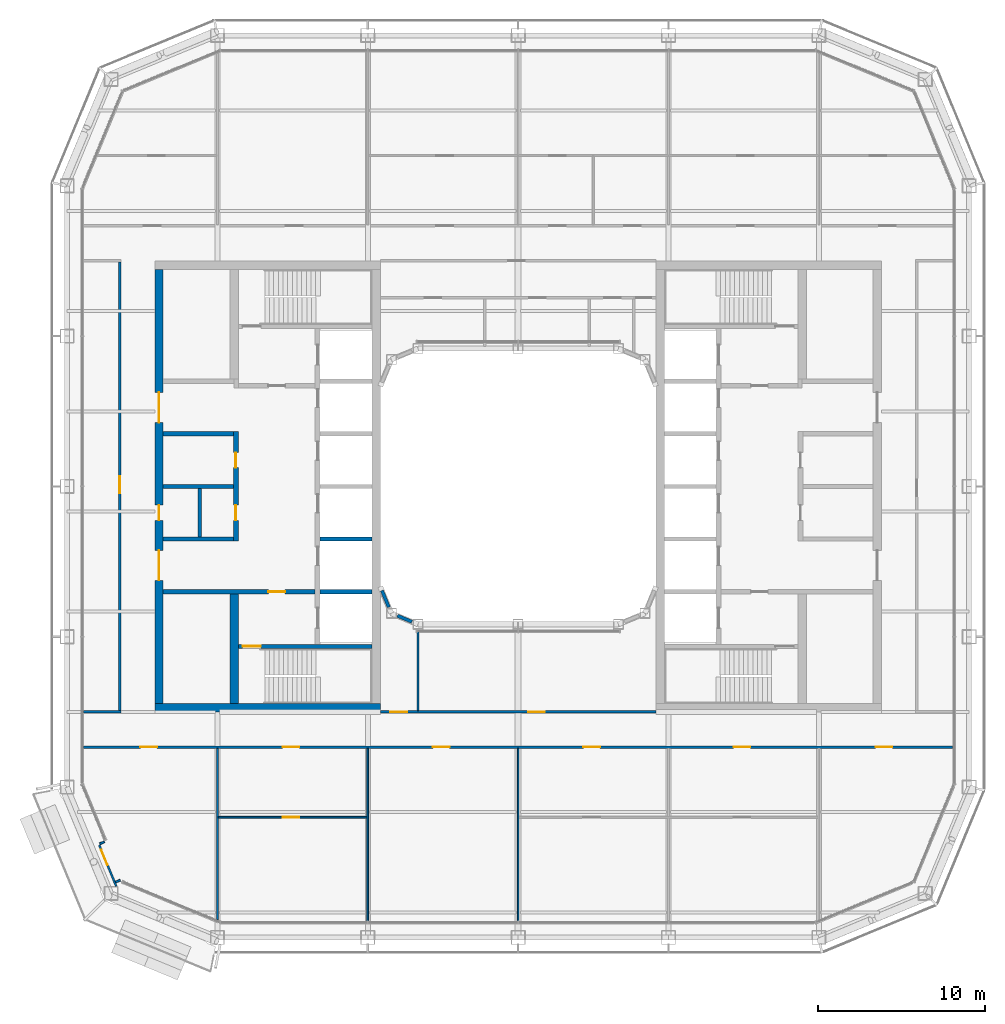
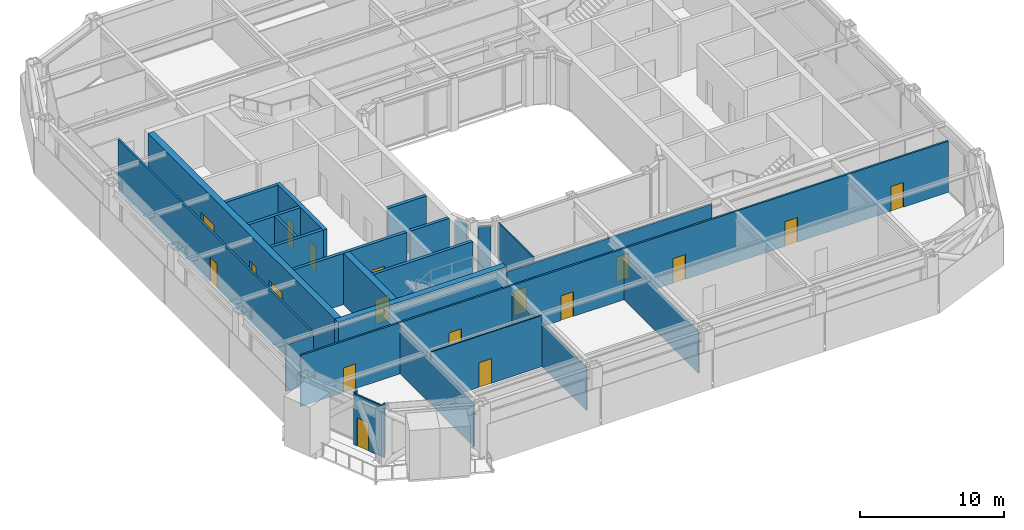
# One storey, part 13 of 23: 26 walls, 18 doors, 18 openings.
"""IFC4 building model written with IfcOpenShell, lengths in metres."""

from ifc_helpers import new_model, si_unit, direction, frame, frame_2d, origin, place, context, subcontext, project, spatial, rectangle, extrude, material, layer, layer_set, type_object, element, fill, save


model = new_model("IFC4")

# Units and contexts
model_context = context("Model", 3, precision=1e-05, world=origin(), true_north=direction((0.0, 1.0)))
body_context = subcontext(model_context, "Body", "Model", "MODEL_VIEW")
ifc_project = project(units=[si_unit("LENGTHUNIT", "METRE"), si_unit("AREAUNIT", "SQUARE_METRE"), si_unit("VOLUMEUNIT", "CUBIC_METRE"), si_unit("PLANEANGLEUNIT", "RADIAN"), si_unit("MASSUNIT", "GRAM", prefix="KILO")], contexts=[model_context])

# Site, building, storey
site_placement = place(None, origin())
site = spatial("IfcSite", under=ifc_project, at=site_placement, CompositionType="ELEMENT")
building_placement = place(site_placement, origin())
building = spatial("IfcBuilding", under=site, at=building_placement, Name="Siwar Civic Tower", CompositionType="ELEMENT")
storey_placement = place(building_placement, frame((0.0, 0.0, 197.199951171875)))
storey = spatial("IfcBuildingStorey", under=building, at=storey_placement, Name="L42", CompositionType="ELEMENT", Elevation=197.199951171875)

# Wall
ifc_material_1 = material(Name="Gypsum board on steel studs", Category="steel")
ifc_layer_1 = layer(ifc_material_1, 0.199951171875)
ifc_layer_set_1 = layer_set([ifc_layer_1], Name="Gypsum board on steel studs")
wall_type_1 = type_object("IfcWallType", Name="CORE-PARTITION-200", PredefinedType="PARTITIONING", material=ifc_layer_set_1)
wall_1_placement = place(storey_placement, frame((-19.050048828125, -3.02490234375, 0.0), z_axis=(0.0, 0.0, 1.0), x_axis=(0.0, 1.0, 0.0)))
element("IfcWall", 1, at=wall_1_placement, inside=storey, type_object=wall_type_1, Name="Core partition W", PredefinedType="PARTITIONING", context=body_context, shape_type="SweptSolid", body=[
    extrude(rectangle(XDim=2.89990234375, YDim=0.199951171875, at=frame_2d((1.449951171875, 0.0))), origin(), (0.0, 0.0, 1.0), 4.35009765625),
])

# Wall, opening, door
ifc_material_2 = material(Name="Concrete C60/75", Category="concrete")
ifc_layer_2 = layer(ifc_material_2, 0.25)
ifc_layer_set_2 = layer_set([ifc_layer_2], Name="Concrete C60/75")
wall_type_2 = type_object("IfcWallType", Name="CORE-WALL-RC250", PredefinedType="SHEAR", material=ifc_layer_set_2)
wall_2_placement = place(storey_placement, frame((-12.14990234375, -6.300048828125, 0.0), z_axis=(0.0, 0.0, 1.0), x_axis=(-1.0, 0.0, 0.0)))
wall_2 = element("IfcWall", 2, at=wall_2_placement, inside=storey, type_object=wall_type_2, Name="Core wall W", PredefinedType="SHEAR", context=body_context, shape_type="SweptSolid", body=[
    extrude(rectangle(XDim=9.10009765625, YDim=0.25, at=frame_2d((4.550048828125, 0.0))), origin(), (0.0, 0.0, 1.0), 4.35009765625),
])
opening_1_placement = place(wall_2_placement, frame((1.800048828125, 0.0, 0.0)))
opening_1 = element("IfcOpeningElement", 3, at=opening_1_placement, cuts=wall_2, Name="Opening L42-CW02", PredefinedType="OPENING", context=body_context, shape_type="SweptSolid", body=[
    extrude(rectangle(XDim=1.0, YDim=2.10009765625, at=frame_2d((0.5, 1.050048828125))), frame((0.0, 0.135009765625, 0.0), z_axis=(0.0, -1.0, 0.0), x_axis=(1.0, 0.0, 0.0)), (0.0, 0.0, 1.0), 0.27001953125),
])
ifc_material_3 = material(Name="Steel door leaf", Category="steel")
door_type_1 = type_object("IfcDoorType", Name="CORE-DOOR-FD30S", OperationType="SINGLE_SWING_LEFT", PredefinedType="DOOR", material=ifc_material_3)
door_1_placement = place(opening_1_placement, origin())
door_1 = element("IfcDoor", 4, at=door_1_placement, inside=storey, type_object=door_type_1, Name="Service lobby door L42-CW02", OperationType="SINGLE_SWING_RIGHT", OverallHeight=2.10009765625, OverallWidth=1.0, PredefinedType="DOOR", context=body_context, shape_type="SweptSolid", body=[
    extrude(rectangle(XDim=1.0, YDim=2.10009765625, at=frame_2d((0.5, 1.050048828125))), frame((0.0, 0.02490234375, 0.0), z_axis=(0.0, -1.0, 0.0), x_axis=(1.0, 0.0, 0.0)), (0.0, 0.0, 1.0), 0.050048828125),
])
fill(opening_1, door_1)

# Walls
for number, where, z_axis, x_axis, name in (
    (5, (-17.050048828125, 0.0, 0.0), (0.0, 0.0, 1.0), (-1.0, 0.0, 0.0), "Core wall W"),
    (6, (-17.050048828125, 3.14990234375, 0.0), (0.0, 0.0, 1.0), (-1.0, 0.0, 0.0), "Core wall W"),
    (7, (-17.050048828125, -3.14990234375, 0.0), (0.0, 0.0, 1.0), (-1.0, 0.0, 0.0), "Core wall W"),
):
    element("IfcWall", number, at=place(storey_placement, frame(where, z_axis=z_axis, x_axis=x_axis)), inside=storey, type_object=wall_type_2, Name=name, PredefinedType="SHEAR", context=body_context, shape_type="SweptSolid", body=[
        extrude(rectangle(XDim=4.199951171875, YDim=0.25, at=frame_2d((2.10009765625, 0.0))), origin(), (0.0, 0.0, 1.0), 4.35009765625),
    ])
for number, where, z_axis, x_axis, name in (
    (8, (-8.75, -3.14990234375, 0.0), (0.0, 0.0, 1.0), (-1.0, 0.0, 0.0), "Core wall W"),
    (9, (-8.75, -6.300048828125, 0.0), (0.0, 0.0, 1.0), (-1.0, 0.0, 0.0), "Core wall W"),
):
    element("IfcWall", number, at=place(storey_placement, frame(where, z_axis=z_axis, x_axis=x_axis)), inside=storey, type_object=wall_type_2, Name=name, PredefinedType="SHEAR", context=body_context, shape_type="SweptSolid", body=[
        extrude(rectangle(XDim=3.10009765625, YDim=0.25, at=frame_2d((1.550048828125, 0.0))), origin(), (0.0, 0.0, 1.0), 4.35009765625),
    ])

# Wall, opening, door
wall_3_placement = place(storey_placement, frame((-8.75, -9.574951171875, 0.0), z_axis=(0.0, 0.0, 1.0), x_axis=(-1.0, 0.0, 0.0)))
wall_3 = element("IfcWall", 10, at=wall_3_placement, inside=storey, type_object=wall_type_2, Name="Core wall W", PredefinedType="SHEAR", context=body_context, shape_type="SweptSolid", body=[
    extrude(rectangle(XDim=8.0, YDim=0.25, at=frame_2d((4.0, 0.0))), origin(), (0.0, 0.0, 1.0), 4.35009765625),
])
opening_2_placement = place(wall_3_placement, frame((6.64990234375, 0.0, 0.0)))
opening_2 = element("IfcOpeningElement", 11, at=opening_2_placement, cuts=wall_3, Name="Opening L42-CW04", PredefinedType="OPENING", context=body_context, shape_type="SweptSolid", body=[
    extrude(rectangle(XDim=1.10009765625, YDim=2.10009765625, at=frame_2d((0.550048828125, 1.050048828125))), frame((0.0, 0.135009765625, 0.0), z_axis=(0.0, -1.0, 0.0), x_axis=(1.0, 0.0, 0.0)), (0.0, 0.0, 1.0), 0.27001953125),
])
ifc_material_4 = material(Name="Steel door leaf", Category="steel")
door_type_2 = type_object("IfcDoorType", Name="CORE-DOOR-FD60S", OperationType="SINGLE_SWING_LEFT", PredefinedType="DOOR", material=ifc_material_4)
door_2_placement = place(opening_2_placement, origin())
door_2 = element("IfcDoor", 12, at=door_2_placement, inside=storey, type_object=door_type_2, Name="Stair door L42-CW04", OperationType="SINGLE_SWING_LEFT", OverallHeight=2.10009765625, OverallWidth=1.10009765625, PredefinedType="DOOR", context=body_context, shape_type="SweptSolid", body=[
    extrude(rectangle(XDim=1.10009765625, YDim=2.10009765625, at=frame_2d((0.550048828125, 1.050048828125))), frame((0.0, 0.02490234375, 0.0), z_axis=(0.0, -1.0, 0.0), x_axis=(1.0, 0.0, 0.0)), (0.0, 0.0, 1.0), 0.050048828125),
])
fill(opening_2, door_2)

# Wall, openings, doors
ifc_material_5 = material(Name="Concrete C60/75", Category="concrete")
ifc_layer_3 = layer(ifc_material_5, 0.300048828125)
ifc_layer_set_3 = layer_set([ifc_layer_3], Name="Concrete C60/75")
wall_type_3 = type_object("IfcWallType", Name="CORE-WALL-RC300", PredefinedType="SHEAR", material=ifc_layer_set_3)
wall_4_placement = place(storey_placement, frame((-16.89990234375, -3.27490234375, 0.0), z_axis=(0.0, 0.0, 1.0), x_axis=(0.0, 1.0, 0.0)))
wall_4 = element("IfcWall", 13, at=wall_4_placement, inside=storey, type_object=wall_type_3, Name="Core wall W", PredefinedType="SHEAR", context=body_context, shape_type="SweptSolid", body=[
    extrude(rectangle(XDim=6.5498046875, YDim=0.300048828125, at=frame_2d((3.27490234375, 0.0))), origin(), (0.0, 0.0, 1.0), 4.35009765625),
])
opening_3_placement = place(wall_4_placement, frame((1.25, 0.0, 0.0)))
opening_3 = element("IfcOpeningElement", 14, at=opening_3_placement, cuts=wall_4, Name="Opening L42-CW13", PredefinedType="OPENING", context=body_context, shape_type="SweptSolid", body=[
    extrude(rectangle(XDim=0.89990234375, YDim=2.10009765625, at=frame_2d((0.449951171875, 1.050048828125))), frame((0.0, 0.16015625, 0.0), z_axis=(0.0, -1.0, 0.0), x_axis=(1.0, 0.0, 0.0)), (0.0, 0.0, 1.0), 0.320068359375),
])
opening_4_placement = place(wall_4_placement, frame((4.39990234375, 0.0, 0.0)))
opening_4 = element("IfcOpeningElement", 15, at=opening_4_placement, cuts=wall_4, Name="Opening L42-CW15", PredefinedType="OPENING", context=body_context, shape_type="SweptSolid", body=[
    extrude(rectangle(XDim=0.89990234375, YDim=2.10009765625, at=frame_2d((0.449951171875, 1.050048828125))), frame((0.0, 0.16015625, 0.0), z_axis=(0.0, -1.0, 0.0), x_axis=(1.0, 0.0, 0.0)), (0.0, 0.0, 1.0), 0.320068359375),
])
ifc_material_6 = material(Name="Steel door leaf", Category="steel")
door_type_3 = type_object("IfcDoorType", Name="CORE-DOOR-ROOM", OperationType="SINGLE_SWING_LEFT", PredefinedType="DOOR", material=ifc_material_6)
door_3_placement = place(opening_3_placement, origin())
door_3 = element("IfcDoor", 16, at=door_3_placement, inside=storey, type_object=door_type_3, Name="Core room door L42-CW13", OperationType="SINGLE_SWING_LEFT", OverallHeight=2.10009765625, OverallWidth=0.89990234375, PredefinedType="DOOR", context=body_context, shape_type="SweptSolid", body=[
    extrude(rectangle(XDim=0.89990234375, YDim=2.10009765625, at=frame_2d((0.449951171875, 1.050048828125))), frame((0.0, 0.02490234375, 0.0), z_axis=(0.0, -1.0, 0.0), x_axis=(1.0, 0.0, 0.0)), (0.0, 0.0, 1.0), 0.050048828125),
])
fill(opening_3, door_3)
door_4_placement = place(opening_4_placement, origin())
door_4 = element("IfcDoor", 17, at=door_4_placement, inside=storey, type_object=door_type_3, Name="Core room door L42-CW15", OperationType="SINGLE_SWING_RIGHT", OverallHeight=2.10009765625, OverallWidth=0.89990234375, PredefinedType="DOOR", context=body_context, shape_type="SweptSolid", body=[
    extrude(rectangle(XDim=0.89990234375, YDim=2.10009765625, at=frame_2d((0.449951171875, 1.050048828125))), frame((0.0, 0.02490234375, 0.0), z_axis=(0.0, -1.0, 0.0), x_axis=(1.0, 0.0, 0.0)), (0.0, 0.0, 1.0), 0.050048828125),
])
fill(opening_4, door_4)

ifc_material_7 = material(Name="Concrete C60/75", Category="concrete")
ifc_layer_4 = layer(ifc_material_7, 0.5)
ifc_layer_set_4 = layer_set([ifc_layer_4], Name="Concrete C60/75")
wall_type_4 = type_object("IfcWallType", Name="CORE-WALL-RC500", PredefinedType="SHEAR", material=ifc_layer_set_4)
wall_5_placement = place(storey_placement, frame((-21.5, -13.0, 0.0), z_axis=(0.0, 0.0, 1.0), x_axis=(0.0, 1.0, 0.0)))
wall_5 = element("IfcWall", 18, at=wall_5_placement, inside=storey, type_object=wall_type_4, Name="Core wall W", PredefinedType="SHEAR", context=body_context, shape_type="SweptSolid", body=[
    extrude(rectangle(XDim=26.0, YDim=0.5, at=frame_2d((13.0, 0.0))), origin(), (0.0, 0.0, 1.0), 4.35009765625),
])
opening_5_placement = place(wall_5_placement, frame((16.824951171875, 0.0, 0.0)))
opening_5 = element("IfcOpeningElement", 19, at=opening_5_placement, cuts=wall_5, Name="Opening L42-CW05", PredefinedType="OPENING", context=body_context, shape_type="SweptSolid", body=[
    extrude(rectangle(XDim=1.800048828125, YDim=2.10009765625, at=frame_2d((0.89990234375, 1.050048828125))), frame((0.0, 0.260009765625, 0.0), z_axis=(0.0, -1.0, 0.0), x_axis=(1.0, 0.0, 0.0)), (0.0, 0.0, 1.0), 0.52001953125),
])
opening_6_placement = place(wall_5_placement, frame((7.375, 0.0, 0.0)))
opening_6 = element("IfcOpeningElement", 20, at=opening_6_placement, cuts=wall_5, Name="Opening L42-CW06", PredefinedType="OPENING", context=body_context, shape_type="SweptSolid", body=[
    extrude(rectangle(XDim=1.800048828125, YDim=2.10009765625, at=frame_2d((0.89990234375, 1.050048828125))), frame((0.0, 0.260009765625, 0.0), z_axis=(0.0, -1.0, 0.0), x_axis=(1.0, 0.0, 0.0)), (0.0, 0.0, 1.0), 0.52001953125),
])
opening_7_placement = place(wall_5_placement, frame((10.97509765625, 0.0, 0.0)))
opening_7 = element("IfcOpeningElement", 21, at=opening_7_placement, cuts=wall_5, Name="Opening L42-CW14", PredefinedType="OPENING", context=body_context, shape_type="SweptSolid", body=[
    extrude(rectangle(XDim=0.89990234375, YDim=2.10009765625, at=frame_2d((0.449951171875, 1.050048828125))), frame((0.0, 0.260009765625, 0.0), z_axis=(0.0, -1.0, 0.0), x_axis=(1.0, 0.0, 0.0)), (0.0, 0.0, 1.0), 0.52001953125),
])
ifc_material_8 = material(Name="Steel door leaf", Category="steel")
door_type_4 = type_object("IfcDoorType", Name="CORE-DOOR-PORT", OperationType="DOUBLE_DOOR_DOUBLE_SWING", PredefinedType="DOOR", material=ifc_material_8)
door_5_placement = place(opening_5_placement, origin())
door_5 = element("IfcDoor", 22, at=door_5_placement, inside=storey, type_object=door_type_4, Name="Core entrance door L42-CW05", OperationType="DOUBLE_DOOR_DOUBLE_SWING", OverallHeight=2.10009765625, OverallWidth=1.800048828125, PredefinedType="DOOR", context=body_context, shape_type="SweptSolid", body=[
    extrude(rectangle(XDim=1.800048828125, YDim=2.10009765625, at=frame_2d((0.89990234375, 1.050048828125))), frame((0.0, 0.02490234375, 0.0), z_axis=(0.0, -1.0, 0.0), x_axis=(1.0, 0.0, 0.0)), (0.0, 0.0, 1.0), 0.050048828125),
])
fill(opening_5, door_5)
door_6_placement = place(opening_6_placement, origin())
door_6 = element("IfcDoor", 23, at=door_6_placement, inside=storey, type_object=door_type_4, Name="Core entrance door L42-CW06", OperationType="DOUBLE_DOOR_DOUBLE_SWING", OverallHeight=2.10009765625, OverallWidth=1.800048828125, PredefinedType="DOOR", context=body_context, shape_type="SweptSolid", body=[
    extrude(rectangle(XDim=1.800048828125, YDim=2.10009765625, at=frame_2d((0.89990234375, 1.050048828125))), frame((0.0, 0.02490234375, 0.0), z_axis=(0.0, -1.0, 0.0), x_axis=(1.0, 0.0, 0.0)), (0.0, 0.0, 1.0), 0.050048828125),
])
fill(opening_6, door_6)
door_7_placement = place(opening_7_placement, origin())
door_7 = element("IfcDoor", 24, at=door_7_placement, inside=storey, type_object=door_type_3, Name="Core room door L42-CW14", OperationType="SINGLE_SWING_RIGHT", OverallHeight=2.10009765625, OverallWidth=0.89990234375, PredefinedType="DOOR", context=body_context, shape_type="SweptSolid", body=[
    extrude(rectangle(XDim=0.89990234375, YDim=2.10009765625, at=frame_2d((0.449951171875, 1.050048828125))), frame((0.0, 0.02490234375, 0.0), z_axis=(0.0, -1.0, 0.0), x_axis=(1.0, 0.0, 0.0)), (0.0, 0.0, 1.0), 0.050048828125),
])
fill(opening_7, door_7)

# Walls
wall_6_placement = place(storey_placement, frame((-17.0, -13.0, 0.0), z_axis=(0.0, 0.0, 1.0), x_axis=(0.0, 1.0, 0.0)))
element("IfcWall", 25, at=wall_6_placement, inside=storey, type_object=wall_type_4, Name="Core wall W", PredefinedType="SHEAR", context=body_context, shape_type="SweptSolid", body=[
    extrude(rectangle(XDim=6.574951171875, YDim=0.5, at=frame_2d((3.28759765625, 0.0))), origin(), (0.0, 0.0, 1.0), 4.35009765625),
])
wall_7_placement = place(storey_placement, frame((-8.25, -13.25, 0.0), z_axis=(0.0, 0.0, 1.0), x_axis=(-1.0, 0.0, 0.0)))
element("IfcWall", 26, at=wall_7_placement, inside=storey, type_object=wall_type_4, Name="Core wall W", PredefinedType="SHEAR", context=body_context, shape_type="SweptSolid", body=[
    extrude(rectangle(XDim=13.5, YDim=0.5, at=frame_2d((6.75, 0.0))), origin(), (0.0, 0.0, 1.0), 4.35009765625),
])

# Wall, openings, doors
ifc_material_9 = material(Name="Gypsum board on steel studs", Category="steel")
ifc_layer_5 = layer(ifc_material_9, 0.14990234375)
ifc_layer_set_5 = layer_set([ifc_layer_5], Name="Gypsum board on steel studs")
wall_type_5 = type_object("IfcWallType", Name="CORRIDOR PARTITION 150 EI 30", PredefinedType="PARTITIONING", material=ifc_layer_set_5)
wall_8_placement = place(storey_placement, frame((-26.010009765625, -15.60009765625, 0.0), z_axis=(0.0, 0.0, 1.0), x_axis=(1.0, 0.0, 0.0)))
wall_8 = element("IfcWall", 27, at=wall_8_placement, inside=storey, type_object=wall_type_5, Name="L42/wall/P03", PredefinedType="PARTITIONING", context=body_context, shape_type="SweptSolid", body=[
    extrude(rectangle(XDim=52.02001953125, YDim=0.14990234375, at=frame_2d((26.010009765625, 0.0))), origin(), (0.0, 0.0, 1.0), 4.35009765625),
])
opening_8_placement = place(wall_8_placement, frame((11.909912109375, 0.0, 0.0)))
opening_8 = element("IfcOpeningElement", 28, at=opening_8_placement, cuts=wall_8, Name="Opening D1", PredefinedType="OPENING", context=body_context, shape_type="SweptSolid", body=[
    extrude(rectangle(XDim=1.0, YDim=2.10009765625, at=frame_2d((0.5, 1.050048828125))), frame((0.0, 0.0849609375, 0.0), z_axis=(0.0, -1.0, 0.0), x_axis=(1.0, 0.0, 0.0)), (0.0, 0.0, 1.0), 0.169921875),
])
opening_9_placement = place(wall_8_placement, frame((20.909912109375, 0.0, 0.0)))
opening_9 = element("IfcOpeningElement", 29, at=opening_9_placement, cuts=wall_8, Name="Opening D1", PredefinedType="OPENING", context=body_context, shape_type="SweptSolid", body=[
    extrude(rectangle(XDim=1.0, YDim=2.10009765625, at=frame_2d((0.5, 1.050048828125))), frame((0.0, 0.0849609375, 0.0), z_axis=(0.0, -1.0, 0.0), x_axis=(1.0, 0.0, 0.0)), (0.0, 0.0, 1.0), 0.169921875),
])
opening_10_placement = place(wall_8_placement, frame((29.909912109375, 0.0, 0.0)))
opening_10 = element("IfcOpeningElement", 30, at=opening_10_placement, cuts=wall_8, Name="Opening D1", PredefinedType="OPENING", context=body_context, shape_type="SweptSolid", body=[
    extrude(rectangle(XDim=1.0, YDim=2.10009765625, at=frame_2d((0.5, 1.050048828125))), frame((0.0, 0.0849609375, 0.0), z_axis=(0.0, -1.0, 0.0), x_axis=(1.0, 0.0, 0.0)), (0.0, 0.0, 1.0), 0.169921875),
])
opening_11_placement = place(wall_8_placement, frame((38.909912109375, 0.0, 0.0)))
opening_11 = element("IfcOpeningElement", 31, at=opening_11_placement, cuts=wall_8, Name="Opening D1", PredefinedType="OPENING", context=body_context, shape_type="SweptSolid", body=[
    extrude(rectangle(XDim=1.0, YDim=2.10009765625, at=frame_2d((0.5, 1.050048828125))), frame((0.0, 0.0849609375, 0.0), z_axis=(0.0, -1.0, 0.0), x_axis=(1.0, 0.0, 0.0)), (0.0, 0.0, 1.0), 0.169921875),
])
opening_12_placement = place(wall_8_placement, frame((3.39990234375, 0.0, 0.0)))
opening_12 = element("IfcOpeningElement", 32, at=opening_12_placement, cuts=wall_8, Name="Opening D1", PredefinedType="OPENING", context=body_context, shape_type="SweptSolid", body=[
    extrude(rectangle(XDim=1.0, YDim=2.10009765625, at=frame_2d((0.5, 1.050048828125))), frame((0.0, 0.0849609375, 0.0), z_axis=(0.0, -1.0, 0.0), x_axis=(1.0, 0.0, 0.0)), (0.0, 0.0, 1.0), 0.169921875),
])
opening_13_placement = place(wall_8_placement, frame((47.409912109375, 0.0, 0.0)))
opening_13 = element("IfcOpeningElement", 33, at=opening_13_placement, cuts=wall_8, Name="Opening D1", PredefinedType="OPENING", context=body_context, shape_type="SweptSolid", body=[
    extrude(rectangle(XDim=1.0, YDim=2.10009765625, at=frame_2d((0.5, 1.050048828125))), frame((0.0, 0.0849609375, 0.0), z_axis=(0.0, -1.0, 0.0), x_axis=(1.0, 0.0, 0.0)), (0.0, 0.0, 1.0), 0.169921875),
])
ifc_material_10 = material(Name="Timber, painted", Category="wood")
door_type_5 = type_object("IfcDoorType", Name="DOOR 1000 X 2100 FD30", OperationType="SINGLE_SWING_LEFT", PredefinedType="DOOR", material=ifc_material_10)
door_8_placement = place(opening_8_placement, origin())
door_8 = element("IfcDoor", 34, at=door_8_placement, inside=storey, type_object=door_type_5, Name="L42-D09", OperationType="SINGLE_SWING_LEFT", OverallHeight=2.10009765625, OverallWidth=1.0, PredefinedType="DOOR", context=body_context, shape_type="SweptSolid", body=[
    extrude(rectangle(XDim=1.0, YDim=2.10009765625, at=frame_2d((0.5, 1.050048828125))), frame((0.0, 0.02490234375, 0.0), z_axis=(0.0, -1.0, 0.0), x_axis=(1.0, 0.0, 0.0)), (0.0, 0.0, 1.0), 0.050048828125),
])
fill(opening_8, door_8)
door_9_placement = place(opening_9_placement, origin())
door_9 = element("IfcDoor", 35, at=door_9_placement, inside=storey, type_object=door_type_5, Name="L42-D11", OperationType="SINGLE_SWING_LEFT", OverallHeight=2.10009765625, OverallWidth=1.0, PredefinedType="DOOR", context=body_context, shape_type="SweptSolid", body=[
    extrude(rectangle(XDim=1.0, YDim=2.10009765625, at=frame_2d((0.5, 1.050048828125))), frame((0.0, 0.02490234375, 0.0), z_axis=(0.0, -1.0, 0.0), x_axis=(1.0, 0.0, 0.0)), (0.0, 0.0, 1.0), 0.050048828125),
])
fill(opening_9, door_9)
door_10_placement = place(opening_10_placement, origin())
door_10 = element("IfcDoor", 36, at=door_10_placement, inside=storey, type_object=door_type_5, Name="L42-D12", OperationType="SINGLE_SWING_RIGHT", OverallHeight=2.10009765625, OverallWidth=1.0, PredefinedType="DOOR", context=body_context, shape_type="SweptSolid", body=[
    extrude(rectangle(XDim=1.0, YDim=2.10009765625, at=frame_2d((0.5, 1.050048828125))), frame((0.0, 0.02490234375, 0.0), z_axis=(0.0, -1.0, 0.0), x_axis=(1.0, 0.0, 0.0)), (0.0, 0.0, 1.0), 0.050048828125),
])
fill(opening_10, door_10)
door_11_placement = place(opening_11_placement, origin())
door_11 = element("IfcDoor", 37, at=door_11_placement, inside=storey, type_object=door_type_5, Name="L42-D14", OperationType="SINGLE_SWING_RIGHT", OverallHeight=2.10009765625, OverallWidth=1.0, PredefinedType="DOOR", context=body_context, shape_type="SweptSolid", body=[
    extrude(rectangle(XDim=1.0, YDim=2.10009765625, at=frame_2d((0.5, 1.050048828125))), frame((0.0, 0.02490234375, 0.0), z_axis=(0.0, -1.0, 0.0), x_axis=(1.0, 0.0, 0.0)), (0.0, 0.0, 1.0), 0.050048828125),
])
fill(opening_11, door_11)
door_12_placement = place(opening_12_placement, origin())
door_12 = element("IfcDoor", 38, at=door_12_placement, inside=storey, type_object=door_type_5, Name="L42-D20", OperationType="SINGLE_SWING_RIGHT", OverallHeight=2.10009765625, OverallWidth=1.0, PredefinedType="DOOR", context=body_context, shape_type="SweptSolid", body=[
    extrude(rectangle(XDim=1.0, YDim=2.10009765625, at=frame_2d((0.5, 1.050048828125))), frame((0.0, 0.02490234375, 0.0), z_axis=(0.0, -1.0, 0.0), x_axis=(1.0, 0.0, 0.0)), (0.0, 0.0, 1.0), 0.050048828125),
])
fill(opening_12, door_12)
door_13_placement = place(opening_13_placement, origin())
door_13 = element("IfcDoor", 39, at=door_13_placement, inside=storey, type_object=door_type_5, Name="L42-D21", OperationType="SINGLE_SWING_LEFT", OverallHeight=2.10009765625, OverallWidth=1.0, PredefinedType="DOOR", context=body_context, shape_type="SweptSolid", body=[
    extrude(rectangle(XDim=1.0, YDim=2.10009765625, at=frame_2d((0.5, 1.050048828125))), frame((0.0, 0.02490234375, 0.0), z_axis=(0.0, -1.0, 0.0), x_axis=(1.0, 0.0, 0.0)), (0.0, 0.0, 1.0), 0.050048828125),
])
fill(opening_13, door_13)

# Wall
wall_9_placement = place(storey_placement, frame((-26.010009765625, -13.5, 0.0), z_axis=(0.0, 0.0, 1.0), x_axis=(1.0, 0.0, 0.0)))
element("IfcWall", 40, at=wall_9_placement, inside=storey, type_object=wall_type_5, Name="L42/wall/P04", PredefinedType="PARTITIONING", context=body_context, shape_type="SweptSolid", body=[
    extrude(rectangle(XDim=2.235107421875, YDim=0.14990234375, at=frame_2d((1.11767578125, 0.0))), origin(), (0.0, 0.0, 1.0), 3.949951171875),
])

# Wall, openings, doors
wall_10_placement = place(storey_placement, frame((-8.25, -13.5, 0.0), z_axis=(0.0, 0.0, 1.0), x_axis=(1.0, 0.0, 0.0)))
wall_10 = element("IfcWall", 41, at=wall_10_placement, inside=storey, type_object=wall_type_5, Name="L42/wall/P05", PredefinedType="PARTITIONING", context=body_context, shape_type="SweptSolid", body=[
    extrude(rectangle(XDim=16.5, YDim=0.14990234375, at=frame_2d((8.25, 0.0))), origin(), (0.0, 0.0, 1.0), 3.949951171875),
])
opening_14_placement = place(wall_10_placement, frame((0.60009765625, 0.0, 0.0)))
opening_14 = element("IfcOpeningElement", 42, at=opening_14_placement, cuts=wall_10, Name="Opening D3", PredefinedType="OPENING", context=body_context, shape_type="SweptSolid", body=[
    extrude(rectangle(XDim=1.0, YDim=2.10009765625, at=frame_2d((0.5, 1.050048828125))), frame((0.0, 0.0849609375, 0.0), z_axis=(0.0, -1.0, 0.0), x_axis=(1.0, 0.0, 0.0)), (0.0, 0.0, 1.0), 0.169921875),
])
opening_15_placement = place(wall_10_placement, frame((8.85009765625, 0.0, 0.0)))
opening_15 = element("IfcOpeningElement", 43, at=opening_15_placement, cuts=wall_10, Name="Opening D1", PredefinedType="OPENING", context=body_context, shape_type="SweptSolid", body=[
    extrude(rectangle(XDim=1.0, YDim=2.10009765625, at=frame_2d((0.5, 1.050048828125))), frame((0.0, 0.0849609375, 0.0), z_axis=(0.0, -1.0, 0.0), x_axis=(1.0, 0.0, 0.0)), (0.0, 0.0, 1.0), 0.169921875),
])
door_14_placement = place(opening_15_placement, origin())
door_14 = element("IfcDoor", 44, at=door_14_placement, inside=storey, type_object=door_type_5, Name="L42-D30", OperationType="SINGLE_SWING_RIGHT", OverallHeight=2.10009765625, OverallWidth=1.0, PredefinedType="DOOR", context=body_context, shape_type="SweptSolid", body=[
    extrude(rectangle(XDim=1.0, YDim=2.10009765625, at=frame_2d((0.5, 1.050048828125))), frame((0.0, 0.02490234375, 0.0), z_axis=(0.0, -1.0, 0.0), x_axis=(1.0, 0.0, 0.0)), (0.0, 0.0, 1.0), 0.050048828125),
])
fill(opening_15, door_14)
ifc_material_11 = material(Name="Timber, painted", Category="wood")
door_type_6 = type_object("IfcDoorType", Name="DOOR 1000 X 2100 WC", OperationType="SINGLE_SWING_LEFT", PredefinedType="DOOR", material=ifc_material_11)
door_15_placement = place(opening_14_placement, origin())
door_15 = element("IfcDoor", 45, at=door_15_placement, inside=storey, type_object=door_type_6, Name="L42-D29", OperationType="SINGLE_SWING_LEFT", OverallHeight=2.10009765625, OverallWidth=1.0, PredefinedType="DOOR", context=body_context, shape_type="SweptSolid", body=[
    extrude(rectangle(XDim=1.0, YDim=2.10009765625, at=frame_2d((0.5, 1.050048828125))), frame((0.0, 0.02490234375, 0.0), z_axis=(0.0, -1.0, 0.0), x_axis=(1.0, 0.0, 0.0)), (0.0, 0.0, 1.0), 0.050048828125),
])
fill(opening_14, door_15)

# Wall, opening, door
wall_11_placement = place(storey_placement, frame((-23.85009765625, -13.425048828125, 0.0), z_axis=(0.0, 0.0, 1.0), x_axis=(0.0, 1.0, 0.0)))
wall_11 = element("IfcWall", 46, at=wall_11_placement, inside=storey, type_object=wall_type_5, Name="L42/wall/P15", PredefinedType="PARTITIONING", context=body_context, shape_type="SweptSolid", body=[
    extrude(rectangle(XDim=26.85009765625, YDim=0.14990234375, at=frame_2d((13.425048828125, 0.0))), origin(), (0.0, 0.0, 1.0), 4.35009765625),
])
opening_16_placement = place(wall_11_placement, frame((13.02490234375, 0.0, 0.0)))
opening_16 = element("IfcOpeningElement", 47, at=opening_16_placement, cuts=wall_11, Name="Opening D1", PredefinedType="OPENING", context=body_context, shape_type="SweptSolid", body=[
    extrude(rectangle(XDim=1.0, YDim=2.10009765625, at=frame_2d((0.5, 1.050048828125))), frame((0.0, 0.0849609375, 0.0), z_axis=(0.0, -1.0, 0.0), x_axis=(1.0, 0.0, 0.0)), (0.0, 0.0, 1.0), 0.169921875),
])
door_16_placement = place(opening_16_placement, origin())
door_16 = element("IfcDoor", 48, at=door_16_placement, inside=storey, type_object=door_type_5, Name="L42-D22", OperationType="SINGLE_SWING_RIGHT", OverallHeight=2.10009765625, OverallWidth=1.0, PredefinedType="DOOR", context=body_context, shape_type="SweptSolid", body=[
    extrude(rectangle(XDim=1.0, YDim=2.10009765625, at=frame_2d((0.5, 1.050048828125))), frame((0.0, 0.02490234375, 0.0), z_axis=(0.0, -1.0, 0.0), x_axis=(1.0, 0.0, 0.0)), (0.0, 0.0, 1.0), 0.050048828125),
])
fill(opening_16, door_16)

# Walls
ifc_material_12 = material(Name="Aluminium clad insulated panel", Category="aluminium")
ifc_layer_6 = layer(ifc_material_12, 0.1201171875)
ifc_layer_set_6 = layer_set([ifc_layer_6], Name="Aluminium clad insulated panel")
wall_type_6 = type_object("IfcWallType", Name="ENV-WALL-BAL", PredefinedType="STANDARD", material=ifc_layer_set_6)
wall_12_placement = place(storey_placement, frame((-24.766357421875, -21.27587890625, 0.0), z_axis=(0.0, 0.0, 1.0), x_axis=(-0.923917630863, -0.382591441855, 0.0)))
element("IfcWall", 49, at=wall_12_placement, inside=storey, type_object=wall_type_6, Name="Balcony door wall return SW1", PredefinedType="STANDARD", context=body_context, shape_type="SweptSolid", body=[
    extrude(rectangle(XDim=0.2998046875, YDim=0.1201171875, at=frame_2d((0.14990234375, 0.0))), origin(), (0.0, 0.0, 1.0), 4.35009765625),
])
wall_13_placement = place(storey_placement, frame((-23.817626953125, -23.56640625, 0.0), z_axis=(0.0, 0.0, 1.0), x_axis=(-0.923629715641, -0.383285987724, 0.0)))
element("IfcWall", 50, at=wall_13_placement, inside=storey, type_object=wall_type_6, Name="Balcony door wall return SW1", PredefinedType="STANDARD", context=body_context, shape_type="SweptSolid", body=[
    extrude(rectangle(XDim=0.300048828125, YDim=0.1201171875, at=frame_2d((0.14990234375, 0.0))), origin(), (0.0, 0.0, 1.0), 4.35009765625),
])

# Wall, opening, door
wall_14_placement = place(storey_placement, frame((-25.075927734375, -21.468994140625, 0.0), z_axis=(0.0, 0.0, 1.0), x_axis=(0.382636771556, -0.923898858671, 0.0)))
wall_14 = element("IfcWall", 51, at=wall_14_placement, inside=storey, type_object=wall_type_6, Name="Balcony door wall SW1", PredefinedType="STANDARD", context=body_context, shape_type="SweptSolid", body=[
    extrude(rectangle(XDim=2.67333984375, YDim=0.1201171875, at=frame_2d((1.336669921875, 0.0))), origin(), (0.0, 0.0, 1.0), 4.35009765625),
])
opening_17_placement = place(wall_14_placement, frame((0.300048828125, 0.0, 0.0)))
opening_17 = element("IfcOpeningElement", 52, at=opening_17_placement, cuts=wall_14, Name="Opening D-BAL", PredefinedType="OPENING", context=body_context, shape_type="SweptSolid", body=[
    extrude(rectangle(XDim=1.0, YDim=2.39990234375, at=frame_2d((0.5, 1.199951171875))), frame((0.0, 0.070068359375, 0.0), z_axis=(0.0, -1.0, 0.0), x_axis=(1.0, 0.0, 0.0)), (0.0, 0.0, 1.0), 0.14013671875),
])
ifc_material_13 = material(Name="Aluminium and glass", Category="aluminium")
door_type_7 = type_object("IfcDoorType", Name="ENV-DOOR-BAL", OperationType="SINGLE_SWING_LEFT", PredefinedType="DOOR", material=ifc_material_13)
door_17_placement = place(opening_17_placement, origin())
door_17 = element("IfcDoor", 53, at=door_17_placement, inside=storey, type_object=door_type_7, Name="Balcony door SW", OperationType="SINGLE_SWING_LEFT", OverallHeight=2.39990234375, OverallWidth=1.0, PredefinedType="DOOR", context=body_context, shape_type="SweptSolid", body=[
    extrude(rectangle(XDim=1.0, YDim=2.39990234375, at=frame_2d((0.5, 1.199951171875))), frame((0.0, 0.02490234375, 0.0), z_axis=(0.0, -1.0, 0.0), x_axis=(1.0, 0.0, 0.0)), (0.0, 0.0, 1.0), 0.050048828125),
])
fill(opening_17, door_17)

# Walls
ifc_material_14 = material(Name="Aluminium clad insulated panel", Category="aluminium")
ifc_layer_7 = layer(ifc_material_14, 0.199951171875)
ifc_layer_set_7 = layer_set([ifc_layer_7], Name="Aluminium clad insulated panel")
wall_type_7 = type_object("IfcWallType", Name="ENV-WALL-WELL", PredefinedType="STANDARD", material=ifc_layer_set_7)
wall_15_placement = place(storey_placement, frame((-8.154296875, -6.23095703125, 0.0), z_axis=(0.0, 0.0, 1.0), x_axis=(0.382704496366, -0.923870807235, 0.0)))
element("IfcWall", 54, at=wall_15_placement, inside=storey, type_object=wall_type_7, Name="Light well corner wall SW1", PredefinedType="STANDARD", context=body_context, shape_type="SweptSolid", body=[
    extrude(rectangle(XDim=1.080078125, YDim=0.199951171875, at=frame_2d((0.5400390625, 0.0))), origin(), (0.0, 0.0, 1.0), 3.91796875),
])
wall_16_placement = place(storey_placement, frame((-7.228759765625, -7.740966796875, 0.0), z_axis=(0.0, 0.0, 1.0), x_axis=(0.923829670615, -0.382803787458, 0.0)))
element("IfcWall", 55, at=wall_16_placement, inside=storey, type_object=wall_type_7, Name="Light well corner wall SW2", PredefinedType="STANDARD", context=body_context, shape_type="SweptSolid", body=[
    extrude(rectangle(XDim=0.938232421875, YDim=0.199951171875, at=frame_2d((0.46923828125, 0.0))), origin(), (0.0, 0.0, 1.0), 3.91796875),
])

# Wall, opening, door
ifc_material_15 = material(Name="Gypsum board on steel studs", Category="steel")
ifc_layer_8 = layer(ifc_material_15, 0.10009765625)
ifc_layer_set_8 = layer_set([ifc_layer_8], Name="Gypsum board on steel studs")
wall_type_8 = type_object("IfcWallType", Name="PARTITION 100 GYPSUM", PredefinedType="PARTITIONING", material=ifc_layer_set_8)
wall_17_placement = place(storey_placement, frame((-17.949951171875, -19.800048828125, 0.0), z_axis=(0.0, 0.0, 1.0), x_axis=(1.0, 0.0, 0.0)))
wall_17 = element("IfcWall", 56, at=wall_17_placement, inside=storey, type_object=wall_type_8, Name="L42/wall/P01", PredefinedType="PARTITIONING", context=body_context, shape_type="SweptSolid", body=[
    extrude(rectangle(XDim=8.89990234375, YDim=0.10009765625, at=frame_2d((4.449951171875, 0.0))), origin(), (0.0, 0.0, 1.0), 4.35009765625),
])
opening_18_placement = place(wall_17_placement, frame((3.85009765625, 0.0, 0.0)))
opening_18 = element("IfcOpeningElement", 57, at=opening_18_placement, cuts=wall_17, Name="Opening D2", PredefinedType="OPENING", context=body_context, shape_type="SweptSolid", body=[
    extrude(rectangle(XDim=1.0, YDim=2.10009765625, at=frame_2d((0.5, 1.050048828125))), frame((0.0, 0.06005859375, 0.0), z_axis=(0.0, -1.0, 0.0), x_axis=(1.0, 0.0, 0.0)), (0.0, 0.0, 1.0), 0.1201171875),
])
ifc_material_16 = material(Name="Timber, painted", Category="wood")
door_type_8 = type_object("IfcDoorType", Name="DOOR 1000 X 2100", OperationType="SINGLE_SWING_LEFT", PredefinedType="DOOR", material=ifc_material_16)
door_18_placement = place(opening_18_placement, origin())
door_18 = element("IfcDoor", 58, at=door_18_placement, inside=storey, type_object=door_type_8, Name="L42-D10", OperationType="SINGLE_SWING_RIGHT", OverallHeight=2.10009765625, OverallWidth=1.0, PredefinedType="DOOR", context=body_context, shape_type="SweptSolid", body=[
    extrude(rectangle(XDim=1.0, YDim=2.10009765625, at=frame_2d((0.5, 1.050048828125))), frame((0.0, 0.02490234375, 0.0), z_axis=(0.0, -1.0, 0.0), x_axis=(1.0, 0.0, 0.0)), (0.0, 0.0, 1.0), 0.050048828125),
])
fill(opening_18, door_18)

# Walls
wall_18_placement = place(storey_placement, frame((-18.0, -25.927978515625, 0.0), z_axis=(0.0, 0.0, 1.0), x_axis=(0.0, 1.0, 0.0)))
element("IfcWall", 59, at=wall_18_placement, inside=storey, type_object=wall_type_8, Name="L42/wall/P16", PredefinedType="PARTITIONING", context=body_context, shape_type="SweptSolid", body=[
    extrude(rectangle(XDim=10.2529296875, YDim=0.10009765625, at=frame_2d((5.12646484375, 0.0))), origin(), (0.0, 0.0, 1.0), 3.650146484375),
])
wall_19_placement = place(storey_placement, frame((-9.0, -26.010009765625, 0.0), z_axis=(0.0, 0.0, 1.0), x_axis=(0.0, 1.0, 0.0)))
element("IfcWall", 60, at=wall_19_placement, inside=storey, type_object=wall_type_8, Name="L42/wall/P18", PredefinedType="PARTITIONING", context=body_context, shape_type="SweptSolid", body=[
    extrude(rectangle(XDim=10.3349609375, YDim=0.10009765625, at=frame_2d((5.16748046875, 0.0))), origin(), (0.0, 0.0, 1.0), 3.650146484375),
])
wall_20_placement = place(storey_placement, frame((-6.0, -13.425048828125, 0.0), z_axis=(0.0, 0.0, 1.0), x_axis=(0.0, 1.0, 0.0)))
element("IfcWall", 61, at=wall_20_placement, inside=storey, type_object=wall_type_8, Name="L42/wall/P20", PredefinedType="PARTITIONING", context=body_context, shape_type="SweptSolid", body=[
    extrude(rectangle(XDim=4.824951171875, YDim=0.10009765625, at=frame_2d((2.41259765625, 0.0))), origin(), (0.0, 0.0, 1.0), 4.35009765625),
])
wall_21_placement = place(storey_placement, frame((0.0, -26.010009765625, 0.0), z_axis=(0.0, 0.0, 1.0), x_axis=(0.0, 1.0, 0.0)))
element("IfcWall", 62, at=wall_21_placement, inside=storey, type_object=wall_type_8, Name="L42/wall/P22", PredefinedType="PARTITIONING", context=body_context, shape_type="SweptSolid", body=[
    extrude(rectangle(XDim=10.3349609375, YDim=0.10009765625, at=frame_2d((5.16748046875, 0.0))), origin(), (0.0, 0.0, 1.0), 3.550048828125),
])

save(model, "model.ifc")
